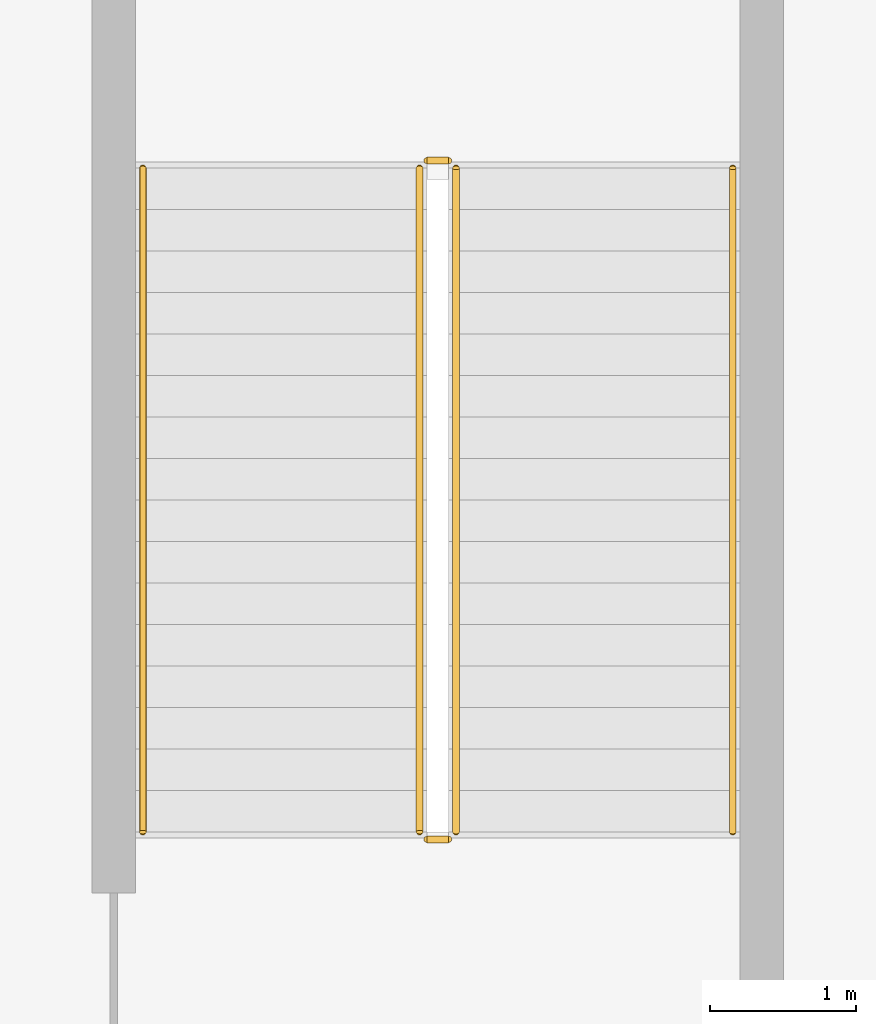
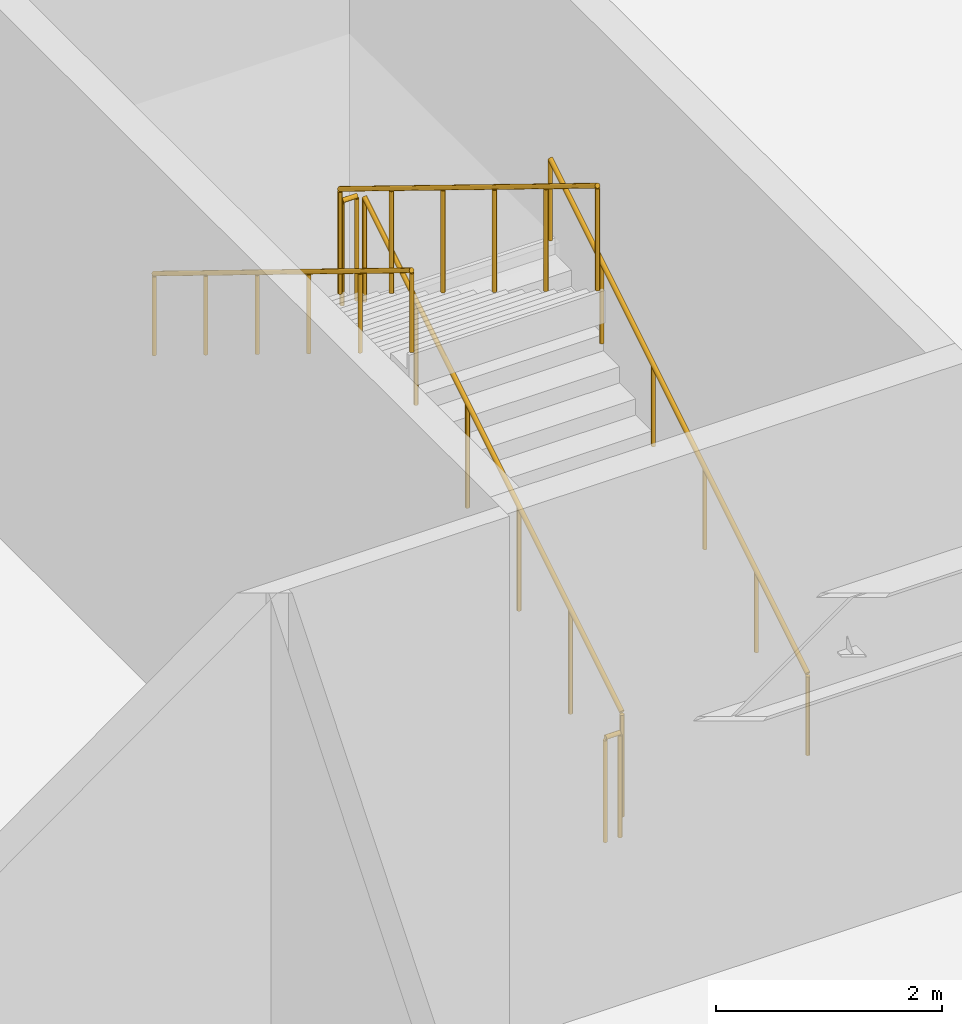
# One storey, part 21 of 21: 6 railings.
"""IFC4 building model written with IfcOpenShell, lengths in metres."""

import ifcopenshell
import ifcopenshell.guid

model = None  # the IFC model being written
_history = None  # IfcOwnerHistory: only IFC2X3 demands one
_inside = {}  # id of a spatial element -> (the spatial element, [elements in it])
_under = {}  # id of a project, library or spatial element -> (it, [spatial elements below it])
_declared = {}  # id of a project -> (the project, [libraries it declares])
_typed = {}  # id of a type object -> (the type object, [elements of that type])
_made_of = {}  # id of a material, layer set ... -> (it, [elements and type objects made of it])


def new_model(schema):
    """Start an empty IFC model of exactly this schema.

    Asked for "IFC4X3", IfcOpenShell would pick the latest addendum, in which some entities
    have other attributes; the version numbers below select the first issue.
    IFC2X3 requires an IfcOwnerHistory on every rooted entity: one is made here for all.
    """
    global model, _history
    if schema == "IFC4X3":
        model = ifcopenshell.file(schema_version=(4, 3, 0, 0))
    else:
        model = ifcopenshell.file(schema=schema)
    _inside.clear()
    _under.clear()
    _declared.clear()
    _typed.clear()
    _made_of.clear()
    _history = None
    if model.schema == "IFC2X3":
        org = make("IfcOrganization", Name="unknown")
        user = make(
            "IfcPersonAndOrganization",
            ThePerson=make("IfcPerson", FamilyName="unknown"),
            TheOrganization=org,
        )
        app = make(
            "IfcApplication",
            ApplicationDeveloper=org,
            Version="unknown",
            ApplicationFullName="unknown",
            ApplicationIdentifier="unknown",
        )
        _history = make(
            "IfcOwnerHistory",
            OwningUser=user,
            OwningApplication=app,
            ChangeAction="ADDED",
            CreationDate=0,
        )
    return model


def make(cls, **values):
    """One entity of the class cls with the attributes given. An attribute that is None is left unset."""
    return model.create_entity(
        cls, **{name: value for name, value in values.items() if value is not None}
    )


def rooted(cls, **values):
    """An entity with a GlobalId (a new one), such as an element, a storey or a relation."""
    return make(cls, GlobalId=ifcopenshell.guid.new(), OwnerHistory=_history, **values)


def si_unit(unit_type, name, prefix=None):
    """IfcSIUnit, for example si_unit("LENGTHUNIT", "METRE", prefix="MILLI")."""
    return make("IfcSIUnit", UnitType=unit_type, Prefix=prefix, Name=name)


def assignment(units):
    """IfcUnitAssignment: the units of a project."""
    return None if units is None else make("IfcUnitAssignment", Units=units)


def point(xyz):
    """IfcCartesianPoint."""
    return None if xyz is None else make("IfcCartesianPoint", Coordinates=xyz)


def direction(xyz):
    """IfcDirection."""
    return None if xyz is None else make("IfcDirection", DirectionRatios=xyz)


def frame(location, z_axis=None, x_axis=None):
    """IfcAxis2Placement3D, a coordinate frame: its origin and axes. An axis left out is left unset."""
    return make(
        "IfcAxis2Placement3D",
        Location=point(location),
        Axis=direction(z_axis),
        RefDirection=direction(x_axis),
    )


def frame_2d(location, x_axis=None):
    """IfcAxis2Placement2D, a coordinate frame in the plane: its origin and x axis."""
    return make(
        "IfcAxis2Placement2D", Location=point(location), RefDirection=direction(x_axis)
    )


def origin():
    """The frame at (0, 0, 0) with its axes left unset."""
    return frame((0.0, 0.0, 0.0))


def origin_2d():
    """The frame at (0, 0) in the plane with its x axis left unset."""
    return frame_2d((0.0, 0.0))


def place(relative_to, where):
    """IfcLocalPlacement: puts the frame where relative to a parent placement (None: the world)."""
    return make(
        "IfcLocalPlacement", PlacementRelTo=relative_to, RelativePlacement=where
    )


def context(
    kind, dimensions, precision=None, world=None, true_north=None, identifier=None
):
    """IfcGeometricRepresentationContext, for example the 3D "Model" context."""
    return make(
        "IfcGeometricRepresentationContext",
        ContextIdentifier=identifier,
        ContextType=kind,
        CoordinateSpaceDimension=dimensions,
        Precision=precision,
        WorldCoordinateSystem=world,
        TrueNorth=true_north,
    )


def subcontext(parent, identifier, kind, view, scale=None):
    """IfcGeometricRepresentationSubContext, for example "Body" below "Model"."""
    return make(
        "IfcGeometricRepresentationSubContext",
        ContextIdentifier=identifier,
        ContextType=kind,
        ParentContext=parent,
        TargetScale=scale,
        TargetView=view,
    )


def project(units=None, contexts=None):
    """IfcProject with its units and contexts."""
    return rooted(
        "IfcProject",
        Name="project",
        RepresentationContexts=contexts,
        UnitsInContext=assignment(units),
    )


def spatial(cls, under=None, at=None, **own):
    """A site, building, storey or space (cls), placed at a placement, below another one or the project."""
    s = rooted(cls, ObjectPlacement=at, **own)
    if under is not None:
        _under.setdefault(under.id(), (under, []))[1].append(s)
    return s


def profile(cls, at=None, kind="AREA", **sizes):
    """A parametric profile (cls). Its sizes go by their IFC names, for example OverallWidth=200.0."""
    return make(cls, ProfileType=kind, Position=at, **sizes)


def circle(**sizes):
    """IfcCircleProfileDef."""
    return profile("IfcCircleProfileDef", **sizes)


def extrude(swept, where, along, depth):
    """IfcExtrudedAreaSolid: the profile swept, set in the frame where, extruded along a direction by depth."""
    return make(
        "IfcExtrudedAreaSolid",
        SweptArea=swept,
        Position=where,
        ExtrudedDirection=direction(along),
        Depth=depth,
    )


def shape(context_of_items, identifier, shape_type, items):
    """IfcShapeRepresentation: the items that make up one representation, for example the "Body"."""
    return make(
        "IfcShapeRepresentation",
        ContextOfItems=context_of_items,
        RepresentationIdentifier=identifier,
        RepresentationType=shape_type,
        Items=items,
    )


def material(Name=None, Category=None):
    """IfcMaterial."""
    return make("IfcMaterial", Name=Name, Category=Category)


def made_of(thing, what):
    """Note that an element or type object is made of a material, layer set ...; save() writes the relation."""
    if what is not None:
        _made_of.setdefault(what.id(), (what, []))[1].append(thing)
    return thing


def type_object(cls, material=None, **own):
    """A type object (cls), such as IfcWallType, which elements share."""
    return made_of(rooted(cls, **own), material)


def element(
    cls,
    number,
    at=None,
    inside=None,
    cuts=None,
    type_object=None,
    material=None,
    context=None,
    identifier="Body",
    shape_type=None,
    held_by="IfcProductDefinitionShape",
    body=None,
    shapes=None,
    **own,
):
    """One element of the class cls, such as IfcWall. Its Tag is "e" and its number.

    at: its placement. inside: the storey or other place that contains it. cuts: it is an
    opening in that element (IfcRelVoidsElement). A single representation is given by context,
    identifier, shape_type and body (its items); several are given by shapes. held_by: the class
    of the entity that holds the representations. save() writes the other relations.
    """
    e = rooted(cls, Tag="e%d" % number, ObjectPlacement=at, **own)
    if body is not None:
        shapes = [shape(context, identifier, shape_type, body)]
    if shapes is not None:
        e.Representation = make(held_by, Representations=shapes)
    if inside is not None:
        _inside.setdefault(inside.id(), (inside, []))[1].append(e)
    if cuts is not None:
        rooted(
            "IfcRelVoidsElement", RelatingBuildingElement=cuts, RelatedOpeningElement=e
        )
    if type_object is not None:
        _typed.setdefault(type_object.id(), (type_object, []))[1].append(e)
    return made_of(e, material)


def aggregate(whole, parts):
    """IfcRelAggregates: a whole, such as a stair, and the parts it consists of."""
    return rooted("IfcRelAggregates", RelatingObject=whole, RelatedObjects=parts)


def save(model, path):
    """Write the relations noted so far, then the file.

    IfcRelAggregates (storeys below a building ...), IfcRelContainedInSpatialStructure (elements
    in a storey), IfcRelDefinesByType, IfcRelAssociatesMaterial and IfcRelDeclares: one each for
    every whole, place, type object, material and project.
    """
    for whole, parts in _under.values():
        aggregate(whole, parts)
    for where, things in _inside.values():
        rooted(
            "IfcRelContainedInSpatialStructure",
            RelatedElements=things,
            RelatingStructure=where,
        )
    for kind, things in _typed.values():
        rooted("IfcRelDefinesByType", RelatedObjects=things, RelatingType=kind)
    for what, things in _made_of.values():
        rooted("IfcRelAssociatesMaterial", RelatedObjects=things, RelatingMaterial=what)
    for by, libraries in _declared.values():
        rooted("IfcRelDeclares", RelatingContext=by, RelatedDefinitions=libraries)
    model.write(path)


model = new_model("IFC4")

# Units and contexts
model_context = context("Model", 3, precision=1e-05, world=origin(), true_north=direction((0.0, 1.0)))
body_context = subcontext(model_context, "Body", "Model", "MODEL_VIEW")
ifc_project = project(units=[si_unit("LENGTHUNIT", "METRE"), si_unit("AREAUNIT", "SQUARE_METRE"), si_unit("VOLUMEUNIT", "CUBIC_METRE"), si_unit("PLANEANGLEUNIT", "RADIAN"), si_unit("MASSUNIT", "GRAM", prefix="KILO")], contexts=[model_context])

# Site, building, storey
site_placement = place(None, origin())
site = spatial("IfcSite", under=ifc_project, at=site_placement, CompositionType="ELEMENT")
building_placement = place(site_placement, origin())
building = spatial("IfcBuilding", under=site, at=building_placement, Name="Nhamokura Convention Tower", CompositionType="ELEMENT")
storey_placement = place(building_placement, frame((0.0, 0.0, 17.85009765625)))
storey = spatial("IfcBuildingStorey", under=building, at=storey_placement, Name="L03", CompositionType="ELEMENT", Elevation=17.85009765625)

# Railings
ifc_material_1 = material(Name="Anodised bronze stainless steel", Category="steel")
railing_type_1 = type_object("IfcRailingType", Name="StairWallHandrail_900", PredefinedType="HANDRAIL", material=ifc_material_1)
railing_1_placement = place(storey_placement, frame((52.75, 48.25, 0.1748046875)))
element("IfcRailing", 1, at=railing_1_placement, inside=storey, type_object=railing_type_1, Name="L03 ST-05 stair handrail 1", PredefinedType="HANDRAIL", context=body_context, shape_type="SweptSolid", body=[
    extrude(circle(Radius=0.02392578125, at=origin_2d()), frame((0.0, 0.0, 0.8759765625), z_axis=(0.0, 0.852170154964, 0.523264777133), x_axis=(-1.0, 0.0, 0.0)), (0.0, 0.0, 1.0), 5.35107421875),
    extrude(circle(Radius=0.02099609375, at=origin_2d()), origin(), (0.0, 0.0, 1.0), 0.851806640625),
    extrude(circle(Radius=0.02099609375, at=origin_2d()), frame((0.0, 0.912109375, 0.56005859375)), (0.0, 0.0, 1.0), 0.851806640625),
    extrude(circle(Radius=0.02099609375, at=origin_2d()), frame((0.0, 1.823974609375, 1.1201171875)), (0.0, 0.0, 1.0), 0.851806640625),
    extrude(circle(Radius=0.02099609375, at=origin_2d()), frame((0.0, 2.736083984375, 1.679931640625)), (0.0, 0.0, 1.0), 0.851806640625),
    extrude(circle(Radius=0.02099609375, at=origin_2d()), frame((0.0, 3.64794921875, 2.239990234375)), (0.0, 0.0, 1.0), 0.851806640625),
    extrude(circle(Radius=0.02099609375, at=origin_2d()), frame((0.0, 4.56005859375, 2.800048828125)), (0.0, 0.0, 1.0), 0.851806640625),
])
railing_2_placement = place(storey_placement, frame((48.699951171875, 52.81005859375, 3.14990234375)))
element("IfcRailing", 2, at=railing_2_placement, inside=storey, type_object=railing_type_1, Name="L03 ST-05 stair handrail 2", PredefinedType="HANDRAIL", context=body_context, shape_type="SweptSolid", body=[
    extrude(circle(Radius=0.02392578125, at=origin_2d()), frame((0.0, 0.0, 0.8759765625), z_axis=(0.0, -0.852170154964, 0.523264777133), x_axis=(1.0, 0.0, 0.0)), (0.0, 0.0, 1.0), 5.35107421875),
    extrude(circle(Radius=0.02099609375, at=origin_2d()), origin(), (0.0, 0.0, 1.0), 0.851806640625),
    extrude(circle(Radius=0.02099609375, at=origin_2d()), frame((0.0, -0.912109375, 0.56005859375)), (0.0, 0.0, 1.0), 0.851806640625),
    extrude(circle(Radius=0.02099609375, at=origin_2d()), frame((0.0, -1.823974609375, 1.1201171875)), (0.0, 0.0, 1.0), 0.851806640625),
    extrude(circle(Radius=0.02099609375, at=origin_2d()), frame((0.0, -2.736083984375, 1.679931640625)), (0.0, 0.0, 1.0), 0.851806640625),
    extrude(circle(Radius=0.02099609375, at=origin_2d()), frame((0.0, -3.64794921875, 2.239990234375)), (0.0, 0.0, 1.0), 0.851806640625),
    extrude(circle(Radius=0.02099609375, at=origin_2d()), frame((0.0, -4.56005859375, 2.800048828125)), (0.0, 0.0, 1.0), 0.851806640625),
])
ifc_material_2 = material(Name="Painted tubular steel", Category="steel")
railing_type_2 = type_object("IfcRailingType", Name="StairWellGuardrail_1150", PredefinedType="GUARDRAIL", material=ifc_material_2)
railing_3_placement = place(storey_placement, frame((50.85009765625, 48.25, 0.1748046875)))
element("IfcRailing", 3, at=railing_3_placement, inside=storey, type_object=railing_type_2, Name="L03 ST-05 stair guard 1", PredefinedType="GUARDRAIL", context=body_context, shape_type="SweptSolid", body=[
    extrude(circle(Radius=0.02392578125, at=origin_2d()), frame((0.0, 0.0, 1.1259765625), z_axis=(0.0, 0.852170154964, 0.523264777133), x_axis=(-1.0, 0.0, 0.0)), (0.0, 0.0, 1.0), 5.35107421875),
    extrude(circle(Radius=0.02099609375, at=origin_2d()), origin(), (0.0, 0.0, 1.0), 1.101806640625),
    extrude(circle(Radius=0.02099609375, at=origin_2d()), frame((0.0, 0.912109375, 0.56005859375)), (0.0, 0.0, 1.0), 1.101806640625),
    extrude(circle(Radius=0.02099609375, at=origin_2d()), frame((0.0, 1.823974609375, 1.1201171875)), (0.0, 0.0, 1.0), 1.101806640625),
    extrude(circle(Radius=0.02099609375, at=origin_2d()), frame((0.0, 2.736083984375, 1.679931640625)), (0.0, 0.0, 1.0), 1.101806640625),
    extrude(circle(Radius=0.02099609375, at=origin_2d()), frame((0.0, 3.64794921875, 2.239990234375)), (0.0, 0.0, 1.0), 1.101806640625),
    extrude(circle(Radius=0.02099609375, at=origin_2d()), frame((0.0, 4.56005859375, 2.800048828125)), (0.0, 0.0, 1.0), 1.101806640625),
])
railing_4_placement = place(storey_placement, frame((50.800048828125, 52.860107421875, 2.974853515625)))
element("IfcRailing", 4, at=railing_4_placement, inside=storey, type_object=railing_type_2, Name="L03 ST-05 stair guard 2", PredefinedType="GUARDRAIL", context=body_context, shape_type="SweptSolid", body=[
    extrude(circle(Radius=0.02392578125, at=origin_2d()), frame((0.0, 0.0, 1.1259765625), z_axis=(-1.0, 0.0, 0.0), x_axis=(0.0, -1.0, 0.0)), (0.0, 0.0, 1.0), 0.150146484375),
    extrude(circle(Radius=0.02099609375, at=origin_2d()), origin(), (0.0, 0.0, 1.0), 1.101806640625),
    extrude(circle(Radius=0.02099609375, at=origin_2d()), frame((-0.150146484375, 0.0, 0.0)), (0.0, 0.0, 1.0), 1.101806640625),
])
railing_5_placement = place(storey_placement, frame((50.60009765625, 52.81005859375, 3.14990234375)))
element("IfcRailing", 5, at=railing_5_placement, inside=storey, type_object=railing_type_2, Name="L03 ST-05 stair guard 3", PredefinedType="GUARDRAIL", context=body_context, shape_type="SweptSolid", body=[
    extrude(circle(Radius=0.02392578125, at=origin_2d()), frame((0.0, 0.0, 1.1259765625), z_axis=(0.0, -0.852170154964, 0.523264777133), x_axis=(1.0, 0.0, 0.0)), (0.0, 0.0, 1.0), 5.35107421875),
    extrude(circle(Radius=0.02099609375, at=origin_2d()), origin(), (0.0, 0.0, 1.0), 1.101806640625),
    extrude(circle(Radius=0.02099609375, at=origin_2d()), frame((0.0, -0.912109375, 0.56005859375)), (0.0, 0.0, 1.0), 1.101806640625),
    extrude(circle(Radius=0.02099609375, at=origin_2d()), frame((0.0, -1.823974609375, 1.1201171875)), (0.0, 0.0, 1.0), 1.101806640625),
    extrude(circle(Radius=0.02099609375, at=origin_2d()), frame((0.0, -2.736083984375, 1.679931640625)), (0.0, 0.0, 1.0), 1.101806640625),
    extrude(circle(Radius=0.02099609375, at=origin_2d()), frame((0.0, -3.64794921875, 2.239990234375)), (0.0, 0.0, 1.0), 1.101806640625),
    extrude(circle(Radius=0.02099609375, at=origin_2d()), frame((0.0, -4.56005859375, 2.800048828125)), (0.0, 0.0, 1.0), 1.101806640625),
])
railing_6_placement = place(storey_placement, frame((50.800048828125, 48.199951171875, 0.0)))
element("IfcRailing", 6, at=railing_6_placement, inside=storey, type_object=railing_type_2, Name="L03 ST-05 stair guard 4", PredefinedType="GUARDRAIL", context=body_context, shape_type="SweptSolid", body=[
    extrude(circle(Radius=0.02392578125, at=origin_2d()), frame((0.0, 0.0, 1.1259765625), z_axis=(-1.0, 0.0, 0.0), x_axis=(0.0, -1.0, 0.0)), (0.0, 0.0, 1.0), 0.150146484375),
    extrude(circle(Radius=0.02099609375, at=origin_2d()), origin(), (0.0, 0.0, 1.0), 1.101806640625),
    extrude(circle(Radius=0.02099609375, at=origin_2d()), frame((-0.150146484375, 0.0, 0.0)), (0.0, 0.0, 1.0), 1.101806640625),
])

save(model, "model.ifc")
